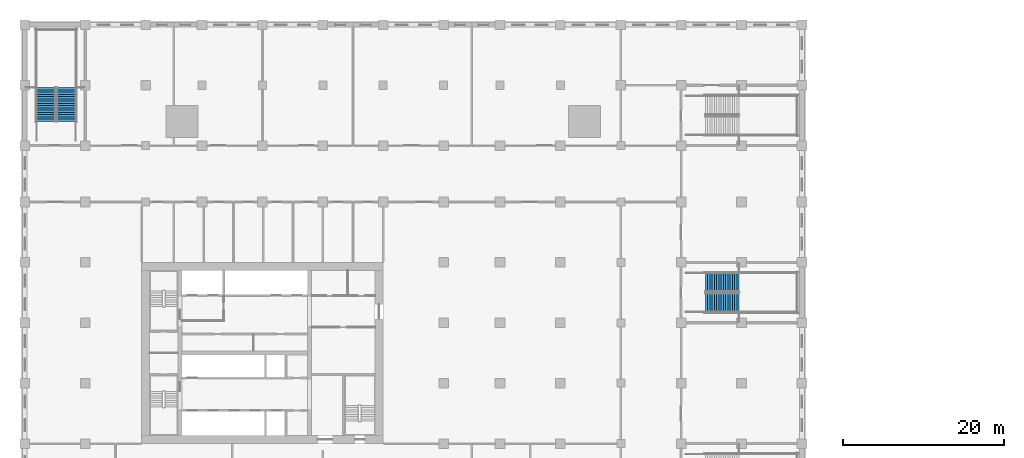
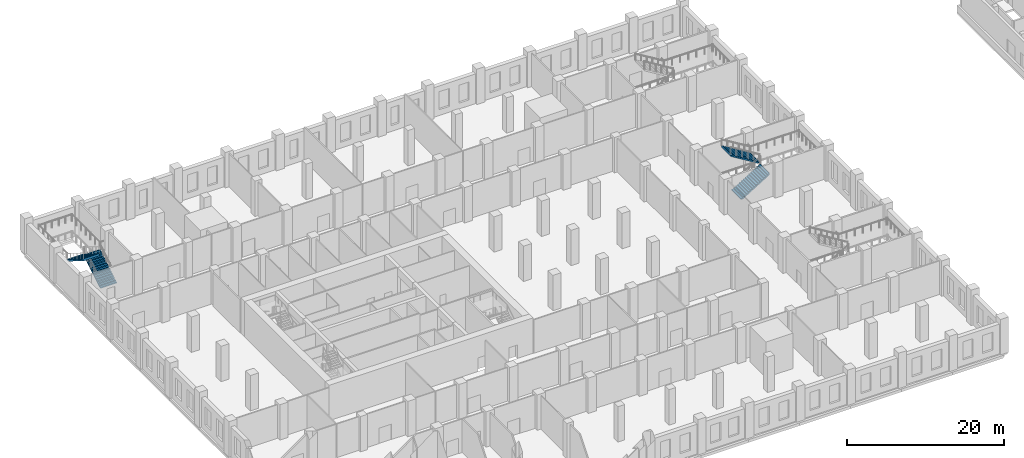
# One storey, part 17 of 25: 4 stair flights, 2 elements without a shape of their own.
"""IFC4 building model written with IfcOpenShell, lengths in metres."""

from ifc_helpers import new_model, si_unit, direction, frame, origin, place, context, subcontext, project, spatial, polyline, outline, extrude, material, type_object, element, aggregate, save


model = new_model("IFC4")

# Units and contexts
model_context = context("Model", 3, precision=1e-05, world=origin(), true_north=direction((0.0, 1.0)))
body_context = subcontext(model_context, "Body", "Model", "MODEL_VIEW")
ifc_project = project(units=[si_unit("LENGTHUNIT", "METRE"), si_unit("AREAUNIT", "SQUARE_METRE"), si_unit("VOLUMEUNIT", "CUBIC_METRE"), si_unit("PLANEANGLEUNIT", "RADIAN"), si_unit("MASSUNIT", "GRAM", prefix="KILO")], contexts=[model_context])

# Site, building, storey
site_placement = place(None, origin())
site = spatial("IfcSite", under=ifc_project, at=site_placement, CompositionType="ELEMENT")
building_placement = place(site_placement, origin())
building = spatial("IfcBuilding", under=site, at=building_placement, Name="Tamorin Gate", CompositionType="ELEMENT")
storey_placement = place(building_placement, frame((0.0, 0.0, 23.5)))
storey = spatial("IfcBuildingStorey", under=building, at=storey_placement, Name="L04", CompositionType="ELEMENT", Elevation=23.5)

# Stair, stair flights
ifc_material = material(Name="Reinforced concrete C32/40", Category="concrete")
stair_type = type_object("IfcStairType", Name="Podium stair PS", PredefinedType="HALF_TURN_STAIR", material=ifc_material)
stair_1_placement = place(storey_placement, origin())
stair_1 = element("IfcStair", 1, at=stair_1_placement, inside=storey, type_object=stair_type, Name="L04 Podium stair PS2", PredefinedType="HALF_TURN_STAIR")
stair_flight_type = type_object("IfcStairFlightType", Name="Stair flight 2400", PredefinedType="STRAIGHT", material=ifc_material)
stair_flight_1_placement = place(storey_placement, frame((20.675048828125, 100.0, 0.0), z_axis=(0.0, 0.0, 1.0), x_axis=(0.0, 1.0, 0.0)))
stair_flight_1 = element("IfcStairFlight", 2, at=stair_flight_1_placement, type_object=stair_flight_type, Name="PS2 flight 1", NumberOfRisers=16, NumberOfTreads=15, PredefinedType="STRAIGHT", RiserHeight=0.171875, TreadLength=0.28, context=body_context, shape_type="SweptSolid", body=[
    extrude(outline(polyline([(-0.00048828125, 0.0), (-0.00048828125, 0.001708984375), (-0.00048828125, 0.00341796875), (-0.00048828125, 0.005126953125), (-0.00048828125, 0.0068359375), (-0.00048828125, 0.008544921875), (-0.00048828125, 0.01025390625), (-0.00048828125, 0.011962890625), (-0.00048828125, 0.013671875), (-0.00048828125, 0.015380859375), (-0.00048828125, 0.01708984375), (-0.00048828125, 0.018798828125), (-0.00048828125, 0.0205078125), (-0.00048828125, 0.022216796875), (-0.00048828125, 0.02392578125), (-0.00048828125, 0.025634765625), (-0.00048828125, 0.02734375), (-0.00048828125, 0.02880859375), (-0.00048828125, 0.030517578125), (-0.00048828125, 0.0322265625), (-0.00048828125, 0.033935546875), (-0.00048828125, 0.03564453125), (-0.00048828125, 0.037353515625), (-0.00048828125, 0.0390625), (-0.00048828125, 0.040771484375), (-0.00048828125, 0.04248046875), (-0.00048828125, 0.044189453125), (-0.00048828125, 0.0458984375), (-0.00048828125, 0.047607421875), (-0.00048828125, 0.04931640625), (-0.00048828125, 0.051025390625), (-0.00048828125, 0.052734375), (-0.00048828125, 0.054443359375), (-0.00048828125, 0.05615234375), (-0.00048828125, 0.057861328125), (-0.00048828125, 0.0595703125), (-0.00048828125, 0.061279296875), (-0.00048828125, 0.06298828125), (-0.00048828125, 0.064697265625), (-0.00048828125, 0.06640625), (-0.00048828125, 0.068115234375), (-0.00048828125, 0.06982421875), (-0.00048828125, 0.071533203125), (-0.00048828125, 0.0732421875), (-0.00048828125, 0.074951171875), (-0.00048828125, 0.07666015625), (-0.00048828125, 0.078369140625), (-0.00048828125, 0.080078125), (-0.00048828125, 0.081787109375), (-0.00048828125, 0.08349609375), (-0.00048828125, 0.085205078125), (-0.00048828125, 0.086669921875), (-0.00048828125, 0.08837890625), (-0.00048828125, 0.090087890625), (-0.00048828125, 0.091796875), (-0.00048828125, 0.093505859375), (-0.00048828125, 0.09521484375), (-0.00048828125, 0.096923828125), (-0.00048828125, 0.0986328125), (-0.00048828125, 0.100341796875), (-0.00048828125, 0.10205078125), (-0.00048828125, 0.103759765625), (-0.00048828125, 0.10546875), (-0.00048828125, 0.107177734375), (-0.00048828125, 0.10888671875), (-0.00048828125, 0.110595703125), (-0.00048828125, 0.1123046875), (-0.00048828125, 0.114013671875), (-0.00048828125, 0.11572265625), (-0.00048828125, 0.117431640625), (-0.00048828125, 0.119140625), (-0.00048828125, 0.120849609375), (-0.00048828125, 0.12255859375), (-0.00048828125, 0.124267578125), (-0.00048828125, 0.1259765625), (-0.00048828125, 0.127685546875), (-0.00048828125, 0.12939453125), (-0.00048828125, 0.131103515625), (-0.00048828125, 0.1328125), (-0.00048828125, 0.134521484375), (-0.00048828125, 0.13623046875), (-0.00048828125, 0.137939453125), (-0.00048828125, 0.1396484375), (-0.00048828125, 0.141357421875), (-0.00048828125, 0.14306640625), (-0.00048828125, 0.14453125), (-0.00048828125, 0.146240234375), (-0.00048828125, 0.14794921875), (-0.00048828125, 0.149658203125), (-0.00048828125, 0.1513671875), (-0.00048828125, 0.153076171875), (-0.00048828125, 0.15478515625), (-0.00048828125, 0.156494140625), (-0.00048828125, 0.158203125), (-0.00048828125, 0.159912109375), (-0.00048828125, 0.16162109375), (-0.00048828125, 0.163330078125), (-0.00048828125, 0.1650390625), (-0.00048828125, 0.166748046875), (-0.00048828125, 0.16845703125), (-0.00048828125, 0.170166015625), (-0.00048828125, 0.171875), (0.280029296875, 0.171875), (0.280029296875, 0.34375), (0.56005859375, 0.34375), (0.56005859375, 0.515625), (0.840087890625, 0.515625), (0.840087890625, 0.6875), (1.1201171875, 0.6875), (1.1201171875, 0.859375), (1.39990234375, 0.859375), (1.39990234375, 1.03125), (1.679931640625, 1.03125), (1.679931640625, 1.203125), (1.9599609375, 1.203125), (1.9599609375, 1.375), (2.239990234375, 1.375), (2.239990234375, 1.546875), (2.52001953125, 1.546875), (2.52001953125, 1.71875), (2.800048828125, 1.71875), (2.800048828125, 1.890625), (3.080078125, 1.890625), (3.080078125, 2.0625), (3.360107421875, 2.0625), (3.360107421875, 2.234375), (3.639892578125, 2.234375), (3.639892578125, 2.40625), (3.919921875, 2.40625), (3.919921875, 2.578125), (4.199951171875, 2.578125), (4.199951171875, 2.75), (4.200439453125, 2.75), (4.200439453125, 2.74658203125), (4.200439453125, 2.7431640625), (4.200439453125, 2.73974609375), (4.200439453125, 2.736328125), (4.200439453125, 2.732666015625), (4.200439453125, 2.729248046875), (4.200439453125, 2.725830078125), (4.200439453125, 2.722412109375), (4.200439453125, 2.718994140625), (4.200439453125, 2.715576171875), (4.200439453125, 2.712158203125), (4.200439453125, 2.708740234375), (4.200439453125, 2.705322265625), (4.200439453125, 2.701904296875), (4.200439453125, 2.6982421875), (4.200439453125, 2.69482421875), (4.200439453125, 2.69140625), (4.200439453125, 2.68798828125), (4.200439453125, 2.6845703125), (4.200439453125, 2.68115234375), (4.200439453125, 2.677734375), (4.200439453125, 2.67431640625), (4.200439453125, 2.6708984375), (4.200439453125, 2.66748046875), (4.200439453125, 2.663818359375), (4.200439453125, 2.660400390625), (4.200439453125, 2.656982421875), (4.200439453125, 2.653564453125), (4.200439453125, 2.650146484375), (4.200439453125, 2.646728515625), (4.200439453125, 2.643310546875), (4.200439453125, 2.639892578125), (4.200439453125, 2.636474609375), (4.200439453125, 2.6328125), (4.200439453125, 2.62939453125), (4.200439453125, 2.6259765625), (4.200439453125, 2.62255859375), (4.200439453125, 2.619140625), (4.200439453125, 2.61572265625), (4.200439453125, 2.6123046875), (4.200439453125, 2.60888671875), (4.200439453125, 2.60546875), (4.200439453125, 2.60205078125), (4.200439453125, 2.598388671875), (4.200439453125, 2.594970703125), (4.200439453125, 2.591552734375), (4.200439453125, 2.588134765625), (4.200439453125, 2.584716796875), (4.200439453125, 2.581298828125), (4.200439453125, 2.577880859375), (4.200439453125, 2.574462890625), (4.200439453125, 2.571044921875), (4.200439453125, 2.567626953125), (4.200439453125, 2.56396484375), (4.200439453125, 2.560546875), (4.200439453125, 2.55712890625), (4.200439453125, 2.5537109375), (4.200439453125, 2.55029296875), (4.200439453125, 2.546875), (4.200439453125, 2.54345703125), (4.200439453125, 2.5400390625), (4.200439453125, 2.53662109375), (4.200439453125, 2.532958984375), (4.200439453125, 2.529541015625), (4.200439453125, 2.526123046875), (4.200439453125, 2.522705078125), (4.200439453125, 2.519287109375), (4.200439453125, 2.515869140625), (4.200439453125, 2.512451171875), (4.200439453125, 2.509033203125), (4.200439453125, 2.505615234375), (4.200439453125, 2.502197265625), (4.200439453125, 2.49853515625), (4.200439453125, 2.4951171875), (4.200439453125, 2.49169921875), (4.200439453125, 2.48828125), (4.200439453125, 2.48486328125), (4.200439453125, 2.4814453125), (4.200439453125, 2.47802734375), (4.200439453125, 2.474609375), (4.200439453125, 2.47119140625), (4.200439453125, 2.4677734375), (4.200439453125, 2.464111328125), (4.200439453125, 2.460693359375), (4.200439453125, 2.457275390625), (4.200439453125, 2.453857421875), (4.200439453125, 2.450439453125), (4.200439453125, 2.447021484375), (4.200439453125, 2.443603515625), (4.200439453125, 2.440185546875), (4.200439453125, 2.436767578125), (4.200439453125, 2.43310546875), (4.200439453125, 2.4296875), (4.200439453125, 2.42626953125), (4.200439453125, 2.4228515625), (4.200439453125, 2.41943359375), (4.200439453125, 2.416015625), (4.200439453125, 2.41259765625), (4.200439453125, 2.4091796875), (4.200439453125, 2.40576171875), (4.200439453125, 2.40234375), (4.199951171875, 2.40234375), (0.28662109375, 0.0), (-0.00048828125, 0.0)])), frame((0.0, 1.199951171875, 0.0), z_axis=(0.0, -1.0, 0.0), x_axis=(1.0, 0.0, 0.0)), (0.0, 0.0, 1.0), 2.39990234375),
])
stair_flight_2_placement = place(storey_placement, frame((18.125, 104.199951171875, 2.75), z_axis=(0.0, 0.0, 1.0), x_axis=(0.0, -1.0, 0.0)))
stair_flight_2 = element("IfcStairFlight", 3, at=stair_flight_2_placement, type_object=stair_flight_type, Name="PS2 flight 2", NumberOfRisers=16, NumberOfTreads=15, PredefinedType="STRAIGHT", RiserHeight=0.171875, TreadLength=0.28, context=body_context, shape_type="SweptSolid", body=[
    extrude(outline(polyline([(-0.00048828125, 0.0), (-0.00048828125, 0.001708984375), (-0.00048828125, 0.00341796875), (-0.00048828125, 0.005126953125), (-0.00048828125, 0.0068359375), (-0.00048828125, 0.008544921875), (-0.00048828125, 0.01025390625), (-0.00048828125, 0.011962890625), (-0.00048828125, 0.013671875), (-0.00048828125, 0.015380859375), (-0.00048828125, 0.01708984375), (-0.00048828125, 0.018798828125), (-0.00048828125, 0.0205078125), (-0.00048828125, 0.022216796875), (-0.00048828125, 0.02392578125), (-0.00048828125, 0.025634765625), (-0.00048828125, 0.02734375), (-0.00048828125, 0.02880859375), (-0.00048828125, 0.030517578125), (-0.00048828125, 0.0322265625), (-0.00048828125, 0.033935546875), (-0.00048828125, 0.03564453125), (-0.00048828125, 0.037353515625), (-0.00048828125, 0.0390625), (-0.00048828125, 0.040771484375), (-0.00048828125, 0.04248046875), (-0.00048828125, 0.044189453125), (-0.00048828125, 0.0458984375), (-0.00048828125, 0.047607421875), (-0.00048828125, 0.04931640625), (-0.00048828125, 0.051025390625), (-0.00048828125, 0.052734375), (-0.00048828125, 0.054443359375), (-0.00048828125, 0.05615234375), (-0.00048828125, 0.057861328125), (-0.00048828125, 0.0595703125), (-0.00048828125, 0.061279296875), (-0.00048828125, 0.06298828125), (-0.00048828125, 0.064697265625), (-0.00048828125, 0.06640625), (-0.00048828125, 0.068115234375), (-0.00048828125, 0.06982421875), (-0.00048828125, 0.071533203125), (-0.00048828125, 0.0732421875), (-0.00048828125, 0.074951171875), (-0.00048828125, 0.07666015625), (-0.00048828125, 0.078369140625), (-0.00048828125, 0.080078125), (-0.00048828125, 0.081787109375), (-0.00048828125, 0.08349609375), (-0.00048828125, 0.085205078125), (-0.00048828125, 0.086669921875), (-0.00048828125, 0.08837890625), (-0.00048828125, 0.090087890625), (-0.00048828125, 0.091796875), (-0.00048828125, 0.093505859375), (-0.00048828125, 0.09521484375), (-0.00048828125, 0.096923828125), (-0.00048828125, 0.0986328125), (-0.00048828125, 0.100341796875), (-0.00048828125, 0.10205078125), (-0.00048828125, 0.103759765625), (-0.00048828125, 0.10546875), (-0.00048828125, 0.107177734375), (-0.00048828125, 0.10888671875), (-0.00048828125, 0.110595703125), (-0.00048828125, 0.1123046875), (-0.00048828125, 0.114013671875), (-0.00048828125, 0.11572265625), (-0.00048828125, 0.117431640625), (-0.00048828125, 0.119140625), (-0.00048828125, 0.120849609375), (-0.00048828125, 0.12255859375), (-0.00048828125, 0.124267578125), (-0.00048828125, 0.1259765625), (-0.00048828125, 0.127685546875), (-0.00048828125, 0.12939453125), (-0.00048828125, 0.131103515625), (-0.00048828125, 0.1328125), (-0.00048828125, 0.134521484375), (-0.00048828125, 0.13623046875), (-0.00048828125, 0.137939453125), (-0.00048828125, 0.1396484375), (-0.00048828125, 0.141357421875), (-0.00048828125, 0.14306640625), (-0.00048828125, 0.14453125), (-0.00048828125, 0.146240234375), (-0.00048828125, 0.14794921875), (-0.00048828125, 0.149658203125), (-0.00048828125, 0.1513671875), (-0.00048828125, 0.153076171875), (-0.00048828125, 0.15478515625), (-0.00048828125, 0.156494140625), (-0.00048828125, 0.158203125), (-0.00048828125, 0.159912109375), (-0.00048828125, 0.16162109375), (-0.00048828125, 0.163330078125), (-0.00048828125, 0.1650390625), (-0.00048828125, 0.166748046875), (-0.00048828125, 0.16845703125), (-0.00048828125, 0.170166015625), (-0.00048828125, 0.171875), (0.280029296875, 0.171875), (0.280029296875, 0.34375), (0.56005859375, 0.34375), (0.56005859375, 0.515625), (0.840087890625, 0.515625), (0.840087890625, 0.6875), (1.1201171875, 0.6875), (1.1201171875, 0.859375), (1.39990234375, 0.859375), (1.39990234375, 1.03125), (1.679931640625, 1.03125), (1.679931640625, 1.203125), (1.9599609375, 1.203125), (1.9599609375, 1.375), (2.239990234375, 1.375), (2.239990234375, 1.546875), (2.52001953125, 1.546875), (2.52001953125, 1.71875), (2.800048828125, 1.71875), (2.800048828125, 1.890625), (3.080078125, 1.890625), (3.080078125, 2.0625), (3.360107421875, 2.0625), (3.360107421875, 2.234375), (3.639892578125, 2.234375), (3.639892578125, 2.40625), (3.919921875, 2.40625), (3.919921875, 2.578125), (4.199951171875, 2.578125), (4.199951171875, 2.75), (4.200439453125, 2.75), (4.200439453125, 2.74658203125), (4.200439453125, 2.7431640625), (4.200439453125, 2.73974609375), (4.200439453125, 2.736328125), (4.200439453125, 2.732666015625), (4.200439453125, 2.729248046875), (4.200439453125, 2.725830078125), (4.200439453125, 2.722412109375), (4.200439453125, 2.718994140625), (4.200439453125, 2.715576171875), (4.200439453125, 2.712158203125), (4.200439453125, 2.708740234375), (4.200439453125, 2.705322265625), (4.200439453125, 2.701904296875), (4.200439453125, 2.6982421875), (4.200439453125, 2.69482421875), (4.200439453125, 2.69140625), (4.200439453125, 2.68798828125), (4.200439453125, 2.6845703125), (4.200439453125, 2.68115234375), (4.200439453125, 2.677734375), (4.200439453125, 2.67431640625), (4.200439453125, 2.6708984375), (4.200439453125, 2.66748046875), (4.200439453125, 2.663818359375), (4.200439453125, 2.660400390625), (4.200439453125, 2.656982421875), (4.200439453125, 2.653564453125), (4.200439453125, 2.650146484375), (4.200439453125, 2.646728515625), (4.200439453125, 2.643310546875), (4.200439453125, 2.639892578125), (4.200439453125, 2.636474609375), (4.200439453125, 2.6328125), (4.200439453125, 2.62939453125), (4.200439453125, 2.6259765625), (4.200439453125, 2.62255859375), (4.200439453125, 2.619140625), (4.200439453125, 2.61572265625), (4.200439453125, 2.6123046875), (4.200439453125, 2.60888671875), (4.200439453125, 2.60546875), (4.200439453125, 2.60205078125), (4.200439453125, 2.598388671875), (4.200439453125, 2.594970703125), (4.200439453125, 2.591552734375), (4.200439453125, 2.588134765625), (4.200439453125, 2.584716796875), (4.200439453125, 2.581298828125), (4.200439453125, 2.577880859375), (4.200439453125, 2.574462890625), (4.200439453125, 2.571044921875), (4.200439453125, 2.567626953125), (4.200439453125, 2.56396484375), (4.200439453125, 2.560546875), (4.200439453125, 2.55712890625), (4.200439453125, 2.5537109375), (4.200439453125, 2.55029296875), (4.200439453125, 2.546875), (4.200439453125, 2.54345703125), (4.200439453125, 2.5400390625), (4.200439453125, 2.53662109375), (4.200439453125, 2.532958984375), (4.200439453125, 2.529541015625), (4.200439453125, 2.526123046875), (4.200439453125, 2.522705078125), (4.200439453125, 2.519287109375), (4.200439453125, 2.515869140625), (4.200439453125, 2.512451171875), (4.200439453125, 2.509033203125), (4.200439453125, 2.505615234375), (4.200439453125, 2.502197265625), (4.200439453125, 2.49853515625), (4.200439453125, 2.4951171875), (4.200439453125, 2.49169921875), (4.200439453125, 2.48828125), (4.200439453125, 2.48486328125), (4.200439453125, 2.4814453125), (4.200439453125, 2.47802734375), (4.200439453125, 2.474609375), (4.200439453125, 2.47119140625), (4.200439453125, 2.4677734375), (4.200439453125, 2.464111328125), (4.200439453125, 2.460693359375), (4.200439453125, 2.457275390625), (4.200439453125, 2.453857421875), (4.200439453125, 2.450439453125), (4.200439453125, 2.447021484375), (4.200439453125, 2.443603515625), (4.200439453125, 2.440185546875), (4.200439453125, 2.436767578125), (4.200439453125, 2.43310546875), (4.200439453125, 2.4296875), (4.200439453125, 2.42626953125), (4.200439453125, 2.4228515625), (4.200439453125, 2.41943359375), (4.200439453125, 2.416015625), (4.200439453125, 2.41259765625), (4.200439453125, 2.4091796875), (4.200439453125, 2.40576171875), (4.200439453125, 2.40234375), (4.199951171875, 2.40234375), (0.28662109375, 0.0), (-0.00048828125, 0.0)])), frame((0.0, 1.199951171875, 0.0), z_axis=(0.0, -1.0, 0.0), x_axis=(1.0, 0.0, 0.0)), (0.0, 0.0, 1.0), 2.39990234375),
])
aggregate(stair_1, [stair_flight_1, stair_flight_2])

stair_2_placement = place(storey_placement, origin())
stair_2 = element("IfcStair", 4, at=stair_2_placement, inside=storey, type_object=stair_type, Name="L04 Podium stair PS5", PredefinedType="HALF_TURN_STAIR")
stair_flight_3_placement = place(storey_placement, frame((100.0, 77.47509765625, 0.0), z_axis=(0.0, 0.0, 1.0), x_axis=(1.0, 0.0, 0.0)))
stair_flight_3 = element("IfcStairFlight", 5, at=stair_flight_3_placement, type_object=stair_flight_type, Name="PS5 flight 1", NumberOfRisers=16, NumberOfTreads=15, PredefinedType="STRAIGHT", RiserHeight=0.171875, TreadLength=0.28, context=body_context, shape_type="SweptSolid", body=[
    extrude(outline(polyline([(-0.00048828125, 0.0), (-0.00048828125, 0.001708984375), (-0.00048828125, 0.00341796875), (-0.00048828125, 0.005126953125), (-0.00048828125, 0.0068359375), (-0.00048828125, 0.008544921875), (-0.00048828125, 0.01025390625), (-0.00048828125, 0.011962890625), (-0.00048828125, 0.013671875), (-0.00048828125, 0.015380859375), (-0.00048828125, 0.01708984375), (-0.00048828125, 0.018798828125), (-0.00048828125, 0.0205078125), (-0.00048828125, 0.022216796875), (-0.00048828125, 0.02392578125), (-0.00048828125, 0.025634765625), (-0.00048828125, 0.02734375), (-0.00048828125, 0.02880859375), (-0.00048828125, 0.030517578125), (-0.00048828125, 0.0322265625), (-0.00048828125, 0.033935546875), (-0.00048828125, 0.03564453125), (-0.00048828125, 0.037353515625), (-0.00048828125, 0.0390625), (-0.00048828125, 0.040771484375), (-0.00048828125, 0.04248046875), (-0.00048828125, 0.044189453125), (-0.00048828125, 0.0458984375), (-0.00048828125, 0.047607421875), (-0.00048828125, 0.04931640625), (-0.00048828125, 0.051025390625), (-0.00048828125, 0.052734375), (-0.00048828125, 0.054443359375), (-0.00048828125, 0.05615234375), (-0.00048828125, 0.057861328125), (-0.00048828125, 0.0595703125), (-0.00048828125, 0.061279296875), (-0.00048828125, 0.06298828125), (-0.00048828125, 0.064697265625), (-0.00048828125, 0.06640625), (-0.00048828125, 0.068115234375), (-0.00048828125, 0.06982421875), (-0.00048828125, 0.071533203125), (-0.00048828125, 0.0732421875), (-0.00048828125, 0.074951171875), (-0.00048828125, 0.07666015625), (-0.00048828125, 0.078369140625), (-0.00048828125, 0.080078125), (-0.00048828125, 0.081787109375), (-0.00048828125, 0.08349609375), (-0.00048828125, 0.085205078125), (-0.00048828125, 0.086669921875), (-0.00048828125, 0.08837890625), (-0.00048828125, 0.090087890625), (-0.00048828125, 0.091796875), (-0.00048828125, 0.093505859375), (-0.00048828125, 0.09521484375), (-0.00048828125, 0.096923828125), (-0.00048828125, 0.0986328125), (-0.00048828125, 0.100341796875), (-0.00048828125, 0.10205078125), (-0.00048828125, 0.103759765625), (-0.00048828125, 0.10546875), (-0.00048828125, 0.107177734375), (-0.00048828125, 0.10888671875), (-0.00048828125, 0.110595703125), (-0.00048828125, 0.1123046875), (-0.00048828125, 0.114013671875), (-0.00048828125, 0.11572265625), (-0.00048828125, 0.117431640625), (-0.00048828125, 0.119140625), (-0.00048828125, 0.120849609375), (-0.00048828125, 0.12255859375), (-0.00048828125, 0.124267578125), (-0.00048828125, 0.1259765625), (-0.00048828125, 0.127685546875), (-0.00048828125, 0.12939453125), (-0.00048828125, 0.131103515625), (-0.00048828125, 0.1328125), (-0.00048828125, 0.134521484375), (-0.00048828125, 0.13623046875), (-0.00048828125, 0.137939453125), (-0.00048828125, 0.1396484375), (-0.00048828125, 0.141357421875), (-0.00048828125, 0.14306640625), (-0.00048828125, 0.14453125), (-0.00048828125, 0.146240234375), (-0.00048828125, 0.14794921875), (-0.00048828125, 0.149658203125), (-0.00048828125, 0.1513671875), (-0.00048828125, 0.153076171875), (-0.00048828125, 0.15478515625), (-0.00048828125, 0.156494140625), (-0.00048828125, 0.158203125), (-0.00048828125, 0.159912109375), (-0.00048828125, 0.16162109375), (-0.00048828125, 0.163330078125), (-0.00048828125, 0.1650390625), (-0.00048828125, 0.166748046875), (-0.00048828125, 0.16845703125), (-0.00048828125, 0.170166015625), (-0.00048828125, 0.171875), (0.280029296875, 0.171875), (0.280029296875, 0.34375), (0.56005859375, 0.34375), (0.56005859375, 0.515625), (0.840087890625, 0.515625), (0.840087890625, 0.6875), (1.1201171875, 0.6875), (1.1201171875, 0.859375), (1.39990234375, 0.859375), (1.39990234375, 1.03125), (1.679931640625, 1.03125), (1.679931640625, 1.203125), (1.9599609375, 1.203125), (1.9599609375, 1.375), (2.239990234375, 1.375), (2.239990234375, 1.546875), (2.52001953125, 1.546875), (2.52001953125, 1.71875), (2.800048828125, 1.71875), (2.800048828125, 1.890625), (3.080078125, 1.890625), (3.080078125, 2.0625), (3.360107421875, 2.0625), (3.360107421875, 2.234375), (3.639892578125, 2.234375), (3.639892578125, 2.40625), (3.919921875, 2.40625), (3.919921875, 2.578125), (4.199951171875, 2.578125), (4.199951171875, 2.75), (4.200439453125, 2.75), (4.200439453125, 2.74658203125), (4.200439453125, 2.7431640625), (4.200439453125, 2.73974609375), (4.200439453125, 2.736328125), (4.200439453125, 2.732666015625), (4.200439453125, 2.729248046875), (4.200439453125, 2.725830078125), (4.200439453125, 2.722412109375), (4.200439453125, 2.718994140625), (4.200439453125, 2.715576171875), (4.200439453125, 2.712158203125), (4.200439453125, 2.708740234375), (4.200439453125, 2.705322265625), (4.200439453125, 2.701904296875), (4.200439453125, 2.6982421875), (4.200439453125, 2.69482421875), (4.200439453125, 2.69140625), (4.200439453125, 2.68798828125), (4.200439453125, 2.6845703125), (4.200439453125, 2.68115234375), (4.200439453125, 2.677734375), (4.200439453125, 2.67431640625), (4.200439453125, 2.6708984375), (4.200439453125, 2.66748046875), (4.200439453125, 2.663818359375), (4.200439453125, 2.660400390625), (4.200439453125, 2.656982421875), (4.200439453125, 2.653564453125), (4.200439453125, 2.650146484375), (4.200439453125, 2.646728515625), (4.200439453125, 2.643310546875), (4.200439453125, 2.639892578125), (4.200439453125, 2.636474609375), (4.200439453125, 2.6328125), (4.200439453125, 2.62939453125), (4.200439453125, 2.6259765625), (4.200439453125, 2.62255859375), (4.200439453125, 2.619140625), (4.200439453125, 2.61572265625), (4.200439453125, 2.6123046875), (4.200439453125, 2.60888671875), (4.200439453125, 2.60546875), (4.200439453125, 2.60205078125), (4.200439453125, 2.598388671875), (4.200439453125, 2.594970703125), (4.200439453125, 2.591552734375), (4.200439453125, 2.588134765625), (4.200439453125, 2.584716796875), (4.200439453125, 2.581298828125), (4.200439453125, 2.577880859375), (4.200439453125, 2.574462890625), (4.200439453125, 2.571044921875), (4.200439453125, 2.567626953125), (4.200439453125, 2.56396484375), (4.200439453125, 2.560546875), (4.200439453125, 2.55712890625), (4.200439453125, 2.5537109375), (4.200439453125, 2.55029296875), (4.200439453125, 2.546875), (4.200439453125, 2.54345703125), (4.200439453125, 2.5400390625), (4.200439453125, 2.53662109375), (4.200439453125, 2.532958984375), (4.200439453125, 2.529541015625), (4.200439453125, 2.526123046875), (4.200439453125, 2.522705078125), (4.200439453125, 2.519287109375), (4.200439453125, 2.515869140625), (4.200439453125, 2.512451171875), (4.200439453125, 2.509033203125), (4.200439453125, 2.505615234375), (4.200439453125, 2.502197265625), (4.200439453125, 2.49853515625), (4.200439453125, 2.4951171875), (4.200439453125, 2.49169921875), (4.200439453125, 2.48828125), (4.200439453125, 2.48486328125), (4.200439453125, 2.4814453125), (4.200439453125, 2.47802734375), (4.200439453125, 2.474609375), (4.200439453125, 2.47119140625), (4.200439453125, 2.4677734375), (4.200439453125, 2.464111328125), (4.200439453125, 2.460693359375), (4.200439453125, 2.457275390625), (4.200439453125, 2.453857421875), (4.200439453125, 2.450439453125), (4.200439453125, 2.447021484375), (4.200439453125, 2.443603515625), (4.200439453125, 2.440185546875), (4.200439453125, 2.436767578125), (4.200439453125, 2.43310546875), (4.200439453125, 2.4296875), (4.200439453125, 2.42626953125), (4.200439453125, 2.4228515625), (4.200439453125, 2.41943359375), (4.200439453125, 2.416015625), (4.200439453125, 2.41259765625), (4.200439453125, 2.4091796875), (4.200439453125, 2.40576171875), (4.200439453125, 2.40234375), (4.199951171875, 2.40234375), (0.28662109375, 0.0), (-0.00048828125, 0.0)])), frame((0.0, 1.199951171875, 0.0), z_axis=(0.0, -1.0, 0.0), x_axis=(1.0, 0.0, 0.0)), (0.0, 0.0, 1.0), 2.39990234375),
])
stair_flight_4_placement = place(storey_placement, frame((104.199951171875, 80.02490234375, 2.75), z_axis=(0.0, 0.0, 1.0), x_axis=(-1.0, 0.0, 0.0)))
stair_flight_4 = element("IfcStairFlight", 6, at=stair_flight_4_placement, type_object=stair_flight_type, Name="PS5 flight 2", NumberOfRisers=16, NumberOfTreads=15, PredefinedType="STRAIGHT", RiserHeight=0.171875, TreadLength=0.28, context=body_context, shape_type="SweptSolid", body=[
    extrude(outline(polyline([(-0.00048828125, 0.0), (-0.00048828125, 0.001708984375), (-0.00048828125, 0.00341796875), (-0.00048828125, 0.005126953125), (-0.00048828125, 0.0068359375), (-0.00048828125, 0.008544921875), (-0.00048828125, 0.01025390625), (-0.00048828125, 0.011962890625), (-0.00048828125, 0.013671875), (-0.00048828125, 0.015380859375), (-0.00048828125, 0.01708984375), (-0.00048828125, 0.018798828125), (-0.00048828125, 0.0205078125), (-0.00048828125, 0.022216796875), (-0.00048828125, 0.02392578125), (-0.00048828125, 0.025634765625), (-0.00048828125, 0.02734375), (-0.00048828125, 0.02880859375), (-0.00048828125, 0.030517578125), (-0.00048828125, 0.0322265625), (-0.00048828125, 0.033935546875), (-0.00048828125, 0.03564453125), (-0.00048828125, 0.037353515625), (-0.00048828125, 0.0390625), (-0.00048828125, 0.040771484375), (-0.00048828125, 0.04248046875), (-0.00048828125, 0.044189453125), (-0.00048828125, 0.0458984375), (-0.00048828125, 0.047607421875), (-0.00048828125, 0.04931640625), (-0.00048828125, 0.051025390625), (-0.00048828125, 0.052734375), (-0.00048828125, 0.054443359375), (-0.00048828125, 0.05615234375), (-0.00048828125, 0.057861328125), (-0.00048828125, 0.0595703125), (-0.00048828125, 0.061279296875), (-0.00048828125, 0.06298828125), (-0.00048828125, 0.064697265625), (-0.00048828125, 0.06640625), (-0.00048828125, 0.068115234375), (-0.00048828125, 0.06982421875), (-0.00048828125, 0.071533203125), (-0.00048828125, 0.0732421875), (-0.00048828125, 0.074951171875), (-0.00048828125, 0.07666015625), (-0.00048828125, 0.078369140625), (-0.00048828125, 0.080078125), (-0.00048828125, 0.081787109375), (-0.00048828125, 0.08349609375), (-0.00048828125, 0.085205078125), (-0.00048828125, 0.086669921875), (-0.00048828125, 0.08837890625), (-0.00048828125, 0.090087890625), (-0.00048828125, 0.091796875), (-0.00048828125, 0.093505859375), (-0.00048828125, 0.09521484375), (-0.00048828125, 0.096923828125), (-0.00048828125, 0.0986328125), (-0.00048828125, 0.100341796875), (-0.00048828125, 0.10205078125), (-0.00048828125, 0.103759765625), (-0.00048828125, 0.10546875), (-0.00048828125, 0.107177734375), (-0.00048828125, 0.10888671875), (-0.00048828125, 0.110595703125), (-0.00048828125, 0.1123046875), (-0.00048828125, 0.114013671875), (-0.00048828125, 0.11572265625), (-0.00048828125, 0.117431640625), (-0.00048828125, 0.119140625), (-0.00048828125, 0.120849609375), (-0.00048828125, 0.12255859375), (-0.00048828125, 0.124267578125), (-0.00048828125, 0.1259765625), (-0.00048828125, 0.127685546875), (-0.00048828125, 0.12939453125), (-0.00048828125, 0.131103515625), (-0.00048828125, 0.1328125), (-0.00048828125, 0.134521484375), (-0.00048828125, 0.13623046875), (-0.00048828125, 0.137939453125), (-0.00048828125, 0.1396484375), (-0.00048828125, 0.141357421875), (-0.00048828125, 0.14306640625), (-0.00048828125, 0.14453125), (-0.00048828125, 0.146240234375), (-0.00048828125, 0.14794921875), (-0.00048828125, 0.149658203125), (-0.00048828125, 0.1513671875), (-0.00048828125, 0.153076171875), (-0.00048828125, 0.15478515625), (-0.00048828125, 0.156494140625), (-0.00048828125, 0.158203125), (-0.00048828125, 0.159912109375), (-0.00048828125, 0.16162109375), (-0.00048828125, 0.163330078125), (-0.00048828125, 0.1650390625), (-0.00048828125, 0.166748046875), (-0.00048828125, 0.16845703125), (-0.00048828125, 0.170166015625), (-0.00048828125, 0.171875), (0.280029296875, 0.171875), (0.280029296875, 0.34375), (0.56005859375, 0.34375), (0.56005859375, 0.515625), (0.840087890625, 0.515625), (0.840087890625, 0.6875), (1.1201171875, 0.6875), (1.1201171875, 0.859375), (1.39990234375, 0.859375), (1.39990234375, 1.03125), (1.679931640625, 1.03125), (1.679931640625, 1.203125), (1.9599609375, 1.203125), (1.9599609375, 1.375), (2.239990234375, 1.375), (2.239990234375, 1.546875), (2.52001953125, 1.546875), (2.52001953125, 1.71875), (2.800048828125, 1.71875), (2.800048828125, 1.890625), (3.080078125, 1.890625), (3.080078125, 2.0625), (3.360107421875, 2.0625), (3.360107421875, 2.234375), (3.639892578125, 2.234375), (3.639892578125, 2.40625), (3.919921875, 2.40625), (3.919921875, 2.578125), (4.199951171875, 2.578125), (4.199951171875, 2.75), (4.200439453125, 2.75), (4.200439453125, 2.74658203125), (4.200439453125, 2.7431640625), (4.200439453125, 2.73974609375), (4.200439453125, 2.736328125), (4.200439453125, 2.732666015625), (4.200439453125, 2.729248046875), (4.200439453125, 2.725830078125), (4.200439453125, 2.722412109375), (4.200439453125, 2.718994140625), (4.200439453125, 2.715576171875), (4.200439453125, 2.712158203125), (4.200439453125, 2.708740234375), (4.200439453125, 2.705322265625), (4.200439453125, 2.701904296875), (4.200439453125, 2.6982421875), (4.200439453125, 2.69482421875), (4.200439453125, 2.69140625), (4.200439453125, 2.68798828125), (4.200439453125, 2.6845703125), (4.200439453125, 2.68115234375), (4.200439453125, 2.677734375), (4.200439453125, 2.67431640625), (4.200439453125, 2.6708984375), (4.200439453125, 2.66748046875), (4.200439453125, 2.663818359375), (4.200439453125, 2.660400390625), (4.200439453125, 2.656982421875), (4.200439453125, 2.653564453125), (4.200439453125, 2.650146484375), (4.200439453125, 2.646728515625), (4.200439453125, 2.643310546875), (4.200439453125, 2.639892578125), (4.200439453125, 2.636474609375), (4.200439453125, 2.6328125), (4.200439453125, 2.62939453125), (4.200439453125, 2.6259765625), (4.200439453125, 2.62255859375), (4.200439453125, 2.619140625), (4.200439453125, 2.61572265625), (4.200439453125, 2.6123046875), (4.200439453125, 2.60888671875), (4.200439453125, 2.60546875), (4.200439453125, 2.60205078125), (4.200439453125, 2.598388671875), (4.200439453125, 2.594970703125), (4.200439453125, 2.591552734375), (4.200439453125, 2.588134765625), (4.200439453125, 2.584716796875), (4.200439453125, 2.581298828125), (4.200439453125, 2.577880859375), (4.200439453125, 2.574462890625), (4.200439453125, 2.571044921875), (4.200439453125, 2.567626953125), (4.200439453125, 2.56396484375), (4.200439453125, 2.560546875), (4.200439453125, 2.55712890625), (4.200439453125, 2.5537109375), (4.200439453125, 2.55029296875), (4.200439453125, 2.546875), (4.200439453125, 2.54345703125), (4.200439453125, 2.5400390625), (4.200439453125, 2.53662109375), (4.200439453125, 2.532958984375), (4.200439453125, 2.529541015625), (4.200439453125, 2.526123046875), (4.200439453125, 2.522705078125), (4.200439453125, 2.519287109375), (4.200439453125, 2.515869140625), (4.200439453125, 2.512451171875), (4.200439453125, 2.509033203125), (4.200439453125, 2.505615234375), (4.200439453125, 2.502197265625), (4.200439453125, 2.49853515625), (4.200439453125, 2.4951171875), (4.200439453125, 2.49169921875), (4.200439453125, 2.48828125), (4.200439453125, 2.48486328125), (4.200439453125, 2.4814453125), (4.200439453125, 2.47802734375), (4.200439453125, 2.474609375), (4.200439453125, 2.47119140625), (4.200439453125, 2.4677734375), (4.200439453125, 2.464111328125), (4.200439453125, 2.460693359375), (4.200439453125, 2.457275390625), (4.200439453125, 2.453857421875), (4.200439453125, 2.450439453125), (4.200439453125, 2.447021484375), (4.200439453125, 2.443603515625), (4.200439453125, 2.440185546875), (4.200439453125, 2.436767578125), (4.200439453125, 2.43310546875), (4.200439453125, 2.4296875), (4.200439453125, 2.42626953125), (4.200439453125, 2.4228515625), (4.200439453125, 2.41943359375), (4.200439453125, 2.416015625), (4.200439453125, 2.41259765625), (4.200439453125, 2.4091796875), (4.200439453125, 2.40576171875), (4.200439453125, 2.40234375), (4.199951171875, 2.40234375), (0.28662109375, 0.0), (-0.00048828125, 0.0)])), frame((0.0, 1.199951171875, 0.0), z_axis=(0.0, -1.0, 0.0), x_axis=(1.0, 0.0, 0.0)), (0.0, 0.0, 1.0), 2.39990234375),
])
aggregate(stair_2, [stair_flight_3, stair_flight_4])

save(model, "model.ifc")
